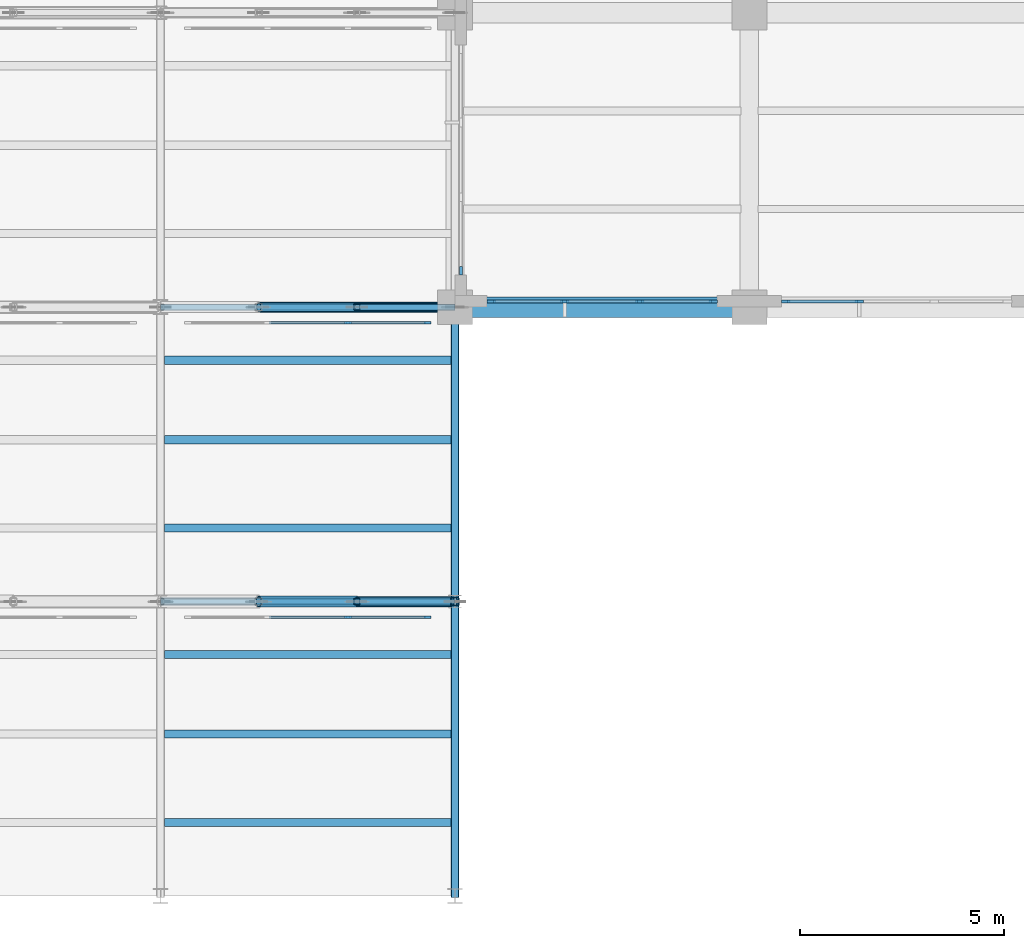
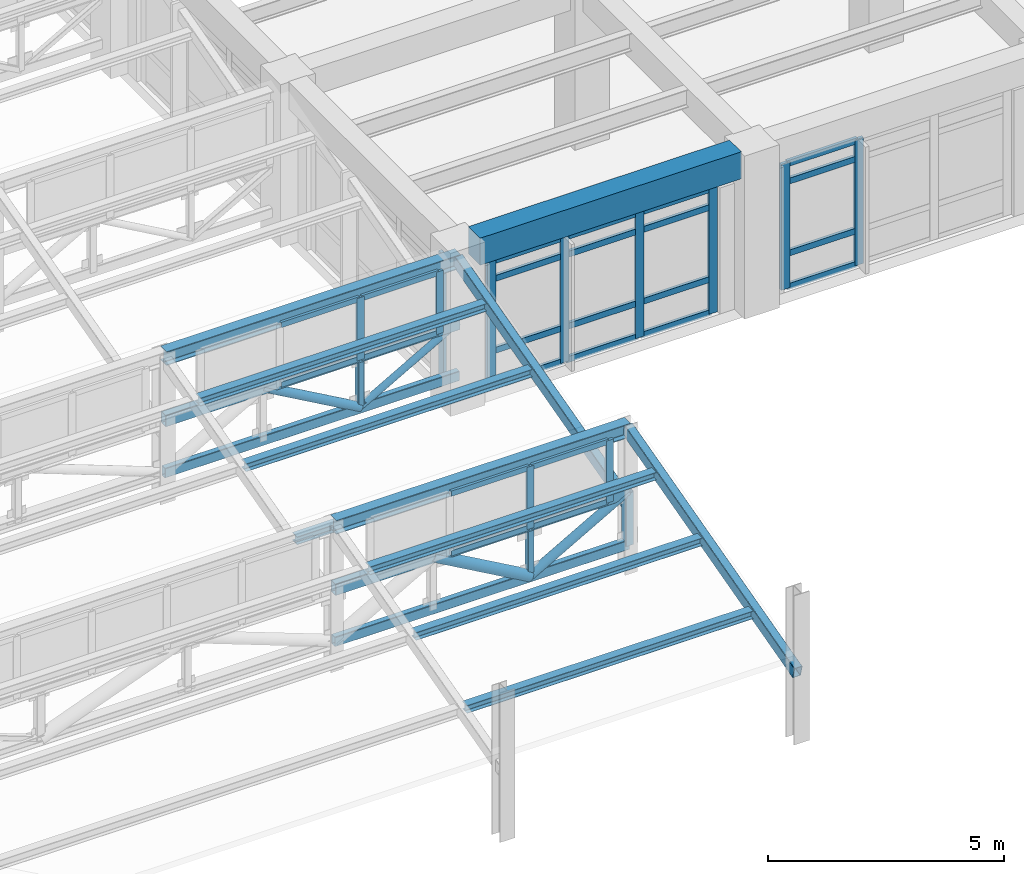
# One storey, part 23 of 98: 46 members, 11 beams, 5 elements without a shape of their own.
"""IFC4 building model written with IfcOpenShell, lengths in metres."""

from ifc_helpers import new_model, si_unit, direction, frame, origin, origin_2d, place, context, subcontext, project, spatial, rectangle, hollow_rectangle, hollow_circle, i_section, extrude, material, layer, layer_set, material_profile, profile_set, type_object, element, aggregate, save


model = new_model("IFC4")

# Units and contexts
model_context = context("Model", 3, precision=1e-05, world=origin(), true_north=direction((0.0, 1.0)))
body_context = subcontext(model_context, "Body", "Model", "MODEL_VIEW")
ifc_project = project(units=[si_unit("LENGTHUNIT", "METRE"), si_unit("AREAUNIT", "SQUARE_METRE"), si_unit("VOLUMEUNIT", "CUBIC_METRE"), si_unit("PLANEANGLEUNIT", "RADIAN"), si_unit("MASSUNIT", "GRAM", prefix="KILO")], contexts=[model_context])

# Site, building, storey
site_placement = place(None, origin())
site = spatial("IfcSite", under=ifc_project, at=site_placement, CompositionType="ELEMENT")
building_placement = place(site_placement, origin())
building = spatial("IfcBuilding", under=site, at=building_placement, Name="Solenvale Faculty of Natural Sciences", CompositionType="ELEMENT")
storey_placement = place(building_placement, frame((0.0, 0.0, 9.0)))
storey = spatial("IfcBuildingStorey", under=building, at=storey_placement, Name="L02", CompositionType="ELEMENT", Elevation=9.0)

# Beams
ifc_material_1 = material(Name="Steel S355", Category="steel")
ifc_material_profile_1 = material_profile(ifc_material_1, i_section(OverallWidth=0.202880859375, OverallDepth=0.202880859375, WebThickness=0.007080078125, FlangeThickness=0.010986328125, FilletRadius=0.010009765625, at=origin_2d()), Name="W200x46")
ifc_profile_set_1 = profile_set([ifc_material_profile_1], Name="Steel S355")
beam_type_1 = type_object("IfcBeamType", Name="BM-PRL-W200x46", PredefinedType="JOIST", material=ifc_profile_set_1)
for number, where, z_axis, x_axis, name in (
    (1, (28.89599609375, 1.800048828125, 2.202392578125), (1.0, 0.0, 0.0), (0.0, 1.0, 0.0), "V1 Sawtooth Purlin 1.2.1"),
    (2, (28.89599609375, 3.9599609375, 2.781494140625), (1.0, 0.0, 0.0), (0.0, 1.0, 0.0), "V1 Sawtooth Purlin 1.2.2"),
    (3, (28.89599609375, 5.904052734375, 3.302490234375), (1.0, 0.0, 0.0), (0.0, 1.0, 0.0), "V1 Sawtooth Purlin 1.2.3"),
    (4, (28.89599609375, 9.0, 2.202392578125), (1.0, 0.0, 0.0), (0.0, 1.0, 0.0), "V1 Sawtooth Purlin 2.2.1"),
    (5, (28.89599609375, 11.159912109375, 2.781494140625), (1.0, 0.0, 0.0), (0.0, 1.0, 0.0), "V1 Sawtooth Purlin 2.2.2"),
    (6, (28.89599609375, 13.10400390625, 3.302490234375), (1.0, 0.0, 0.0), (0.0, 1.0, 0.0), "V1 Sawtooth Purlin 2.2.3"),
):
    element("IfcBeam", number, at=place(storey_placement, frame(where, z_axis=z_axis, x_axis=x_axis)), inside=storey, type_object=beam_type_1, Name=name, PredefinedType="JOIST", context=body_context, shape_type="SweptSolid", body=[
        extrude(i_section(OverallWidth=0.202880859375, OverallDepth=0.202880859375, WebThickness=0.007080078125, FlangeThickness=0.010986328125, FilletRadius=0.010009765625, at=origin_2d()), origin(), (0.0, 0.0, 1.0), 7.10400390625),
    ])
ifc_material_profile_2 = material_profile(ifc_material_1, hollow_rectangle(XDim=0.202880859375, YDim=0.304931640625, WallThickness=0.0126953125, InnerFilletRadius=0.0126953125, OuterFilletRadius=0.025390625, at=origin_2d()), Name="HSS305x203x13")
ifc_profile_set_2 = profile_set([ifc_material_profile_2], Name="Steel S355")
beam_type_2 = type_object("IfcBeamType", Name="BM-RAF-HSS305", PredefinedType="BEAM", material=ifc_profile_set_2)
for number, where, z_axis, x_axis, name in (
    (7, (36.0, 0.0, 1.719970703125), (0.0, 0.965901991803, 0.258907980238), (-1.0, 0.0, 0.0), "V1 Sawtooth End Rafter 1.2.E"),
    (8, (36.0, 7.199951171875, 1.719970703125), (0.0, 0.965901991803, 0.258907980238), (-1.0, 0.0, 0.0), "V1 Sawtooth End Rafter 2.2.E"),
):
    element("IfcBeam", number, at=place(storey_placement, frame(where, z_axis=z_axis, x_axis=x_axis)), inside=storey, type_object=beam_type_2, Name=name, PredefinedType="BEAM", context=body_context, shape_type="SweptSolid", body=[
        extrude(hollow_rectangle(XDim=0.202880859375, YDim=0.304931640625, WallThickness=0.0126953125, InnerFilletRadius=0.0126953125, OuterFilletRadius=0.025390625, at=origin_2d()), origin(), (0.0, 0.0, 1.0), 7.4541015625),
    ])
ifc_material_2 = material(Name="Concrete 40 MPa", Category="concrete")
ifc_material_profile_3 = material_profile(ifc_material_2, rectangle(XDim=0.5, YDim=0.699951171875, at=origin_2d()), Name="RC-BM-500x700")
ifc_profile_set_3 = profile_set([ifc_material_profile_3], Name="Concrete 40 MPa")
beam_type_3 = type_object("IfcBeamType", Name="BM-RC-500x700", PredefinedType="BEAM", material=ifc_profile_set_3)
beam_placement = place(storey_placement, frame((36.405029296875, 14.39990234375, 3.8701171875), z_axis=(1.0, 0.0, 0.0), x_axis=(0.0, 1.0, 0.0)))
element("IfcBeam", 9, at=beam_placement, inside=storey, type_object=beam_type_3, Name="L02 X-Girder Y14.4 (36.0..43.2)", PredefinedType="BEAM", context=body_context, shape_type="SweptSolid", body=[
    extrude(rectangle(XDim=0.5, YDim=0.699951171875, at=origin_2d()), origin(), (0.0, 0.0, 1.0), 6.389892578125),
])
ifc_material_profile_4 = material_profile(ifc_material_1, i_section(OverallWidth=0.2548828125, OverallDepth=0.35693359375, WebThickness=0.010498046875, FlangeThickness=0.018310546875, FilletRadius=0.014892578125, at=origin_2d()), Name="W360x101")
ifc_profile_set_4 = profile_set([ifc_material_profile_4], Name="Steel S355")
beam_type_4 = type_object("IfcBeamType", Name="BM-STL-W360x101", PredefinedType="JOIST", material=ifc_profile_set_4)
for number, where, z_axis, x_axis, name in (
    (10, (28.800048828125, 7.199951171875, 3.68896484375), (1.0, 0.0, 0.0), (0.0, 1.0, 0.0), "V1 Sawtooth Clerestory Ridge Beam 1.2"),
    (11, (28.800048828125, 14.39990234375, 3.68896484375), (1.0, 0.0, 0.0), (0.0, 1.0, 0.0), "V1 Sawtooth Clerestory Ridge Beam 2.2"),
):
    element("IfcBeam", number, at=place(storey_placement, frame(where, z_axis=z_axis, x_axis=x_axis)), inside=storey, type_object=beam_type_4, Name=name, PredefinedType="JOIST", context=body_context, shape_type="SweptSolid", body=[
        extrude(i_section(OverallWidth=0.2548828125, OverallDepth=0.35693359375, WebThickness=0.010498046875, FlangeThickness=0.018310546875, FilletRadius=0.014892578125, at=origin_2d()), origin(), (0.0, 0.0, 1.0), 7.199951171875),
    ])

# Curtain wall, members
ifc_material_3 = material(Name="Anodised bronze aluminium", Category="aluminium")
ifc_layer_1 = layer(ifc_material_3, 0.1650390625)
ifc_layer_set_1 = layer_set([ifc_layer_1], Name="Anodised bronze aluminium")
curtain_wall_type_1 = type_object("IfcCurtainWallType", Name="CW-SAW-CLR", PredefinedType="USERDEFINED", material=ifc_layer_set_1)
curtain_wall_1_placement = place(storey_placement, origin())
curtain_wall_1 = element("IfcCurtainWall", 12, at=curtain_wall_1_placement, inside=storey, type_object=curtain_wall_type_1, Name="L02 Curtain Wall SAW-V1-CW-1-2", ObjectType="NORTH LIGHT CLERESTORY", PredefinedType="USERDEFINED")
ifc_material_profile_5 = material_profile(ifc_material_3, rectangle(XDim=0.06494140625, YDim=0.175048828125, at=origin_2d()), Name="ALU-MUL-65x175")
ifc_profile_set_5 = profile_set([ifc_material_profile_5], Name="Anodised bronze aluminium")
member_type_1 = type_object("IfcMemberType", Name="CWM-ALU-65x175", PredefinedType="MULLION", material=ifc_profile_set_5)
member_1_placement = place(storey_placement, frame((35.327392578125, 6.820068359375, 2.22998046875), z_axis=(0.0, 0.0, 1.0), x_axis=(0.0, -1.0, 0.0)))
member_1 = element("IfcMember", 13, at=member_1_placement, type_object=member_type_1, Name="CW-05 mullion 1", PredefinedType="MULLION", context=body_context, shape_type="SweptSolid", body=[
    extrude(rectangle(XDim=0.06494140625, YDim=0.175048828125, at=origin_2d()), origin(), (0.0, 0.0, 1.0), 1.610107421875),
])
member_2_placement = place(storey_placement, frame((33.38671875, 6.820068359375, 2.22998046875), z_axis=(0.0, 0.0, 1.0), x_axis=(0.0, -1.0, 0.0)))
member_2 = element("IfcMember", 14, at=member_2_placement, type_object=member_type_1, Name="CW-05 mullion 2", PredefinedType="MULLION", context=body_context, shape_type="SweptSolid", body=[
    extrude(rectangle(XDim=0.06494140625, YDim=0.175048828125, at=origin_2d()), origin(), (0.0, 0.0, 1.0), 1.610107421875),
])

curtain_wall_2_placement = place(storey_placement, origin())
curtain_wall_2 = element("IfcCurtainWall", 15, at=curtain_wall_2_placement, inside=storey, type_object=curtain_wall_type_1, Name="L02 Curtain Wall SAW-V1-CW-2-2", ObjectType="NORTH LIGHT CLERESTORY", PredefinedType="USERDEFINED")
member_3_placement = place(storey_placement, frame((35.327392578125, 14.02001953125, 2.22998046875), z_axis=(0.0, 0.0, 1.0), x_axis=(0.0, -1.0, 0.0)))
member_3 = element("IfcMember", 16, at=member_3_placement, type_object=member_type_1, Name="CW-05 mullion 1", PredefinedType="MULLION", context=body_context, shape_type="SweptSolid", body=[
    extrude(rectangle(XDim=0.06494140625, YDim=0.175048828125, at=origin_2d()), origin(), (0.0, 0.0, 1.0), 1.610107421875),
])
member_4_placement = place(storey_placement, frame((33.38671875, 14.02001953125, 2.22998046875), z_axis=(0.0, 0.0, 1.0), x_axis=(0.0, -1.0, 0.0)))
member_4 = element("IfcMember", 17, at=member_4_placement, type_object=member_type_1, Name="CW-05 mullion 2", PredefinedType="MULLION", context=body_context, shape_type="SweptSolid", body=[
    extrude(rectangle(XDim=0.06494140625, YDim=0.175048828125, at=origin_2d()), origin(), (0.0, 0.0, 1.0), 1.610107421875),
])

# Curtain wall, member
ifc_layer_2 = layer(ifc_material_3, 0.215087890625)
ifc_layer_set_2 = layer_set([ifc_layer_2], Name="Anodised bronze aluminium")
curtain_wall_type_2 = type_object("IfcCurtainWallType", Name="CW-ATR-UNIT", PredefinedType="USERDEFINED", material=ifc_layer_set_2)
curtain_wall_3_placement = place(storey_placement, origin())
curtain_wall_3 = element("IfcCurtainWall", 18, at=curtain_wall_3_placement, inside=storey, type_object=curtain_wall_type_2, Name="L02 Curtain Wall CW-L02-P1-E9-B11", ObjectType="UNITISED CURTAIN WALL", PredefinedType="USERDEFINED")
ifc_material_profile_6 = material_profile(ifc_material_3, rectangle(XDim=0.074951171875, YDim=0.2099609375, at=origin_2d()), Name="ALU-MUL-75x210")
ifc_profile_set_6 = profile_set([ifc_material_profile_6], Name="Anodised bronze aluminium")
member_type_2 = type_object("IfcMemberType", Name="CWM-ALU-75x210", PredefinedType="MULLION", material=ifc_profile_set_6)
member_5_placement = place(storey_placement, frame((36.142578125, 15.28759765625, 0.0), z_axis=(0.0, 0.0, 1.0), x_axis=(1.0, 0.0, 0.0)))
member_5 = element("IfcMember", 19, at=member_5_placement, type_object=member_type_2, Name="CW-01 mullion 4", PredefinedType="MULLION", context=body_context, shape_type="SweptSolid", body=[
    extrude(rectangle(XDim=0.074951171875, YDim=0.2099609375, at=origin_2d()), origin(), (0.0, 0.0, 1.0), 3.260009765625),
])
aggregate(curtain_wall_3, [member_5])

# Curtain wall, members
curtain_wall_4_placement = place(storey_placement, origin())
curtain_wall_4 = element("IfcCurtainWall", 20, at=curtain_wall_4_placement, inside=storey, type_object=curtain_wall_type_2, Name="L02 Curtain Wall CW-L02-P1-E10-B1", ObjectType="UNITISED CURTAIN WALL", PredefinedType="USERDEFINED")
member_6_placement = place(storey_placement, frame((36.887451171875, 14.54248046875, 0.0), z_axis=(0.0, 0.0, 1.0), x_axis=(0.0, 1.0, 0.0)))
member_6 = element("IfcMember", 21, at=member_6_placement, type_object=member_type_2, Name="CW-01 mullion 1", PredefinedType="MULLION", context=body_context, shape_type="SweptSolid", body=[
    extrude(rectangle(XDim=0.074951171875, YDim=0.2099609375, at=origin_2d()), origin(), (0.0, 0.0, 1.0), 3.260009765625),
])
member_7_placement = place(storey_placement, frame((38.683349609375, 14.54248046875, 0.0), z_axis=(0.0, 0.0, 1.0), x_axis=(0.0, 1.0, 0.0)))
member_7 = element("IfcMember", 22, at=member_7_placement, type_object=member_type_2, Name="CW-01 mullion 2", PredefinedType="MULLION", context=body_context, shape_type="SweptSolid", body=[
    extrude(rectangle(XDim=0.074951171875, YDim=0.2099609375, at=origin_2d()), origin(), (0.0, 0.0, 1.0), 3.260009765625),
])
member_8_placement = place(storey_placement, frame((40.5166015625, 14.54248046875, 0.0), z_axis=(0.0, 0.0, 1.0), x_axis=(0.0, 1.0, 0.0)))
member_8 = element("IfcMember", 23, at=member_8_placement, type_object=member_type_2, Name="CW-01 mullion 3", PredefinedType="MULLION", context=body_context, shape_type="SweptSolid", body=[
    extrude(rectangle(XDim=0.074951171875, YDim=0.2099609375, at=origin_2d()), origin(), (0.0, 0.0, 1.0), 3.260009765625),
])
member_9_placement = place(storey_placement, frame((42.3125, 14.54248046875, 0.0), z_axis=(0.0, 0.0, 1.0), x_axis=(0.0, 1.0, 0.0)))
member_9 = element("IfcMember", 24, at=member_9_placement, type_object=member_type_2, Name="CW-01 mullion 4", PredefinedType="MULLION", context=body_context, shape_type="SweptSolid", body=[
    extrude(rectangle(XDim=0.074951171875, YDim=0.2099609375, at=origin_2d()), origin(), (0.0, 0.0, 1.0), 3.260009765625),
])

curtain_wall_5_placement = place(storey_placement, origin())
curtain_wall_5 = element("IfcCurtainWall", 25, at=curtain_wall_5_placement, inside=storey, type_object=curtain_wall_type_2, Name="L02 Curtain Wall CW-L02-P1-E10-B2", ObjectType="UNITISED CURTAIN WALL", PredefinedType="USERDEFINED")
member_10_placement = place(storey_placement, frame((44.08740234375, 14.54248046875, 0.0), z_axis=(0.0, 0.0, 1.0), x_axis=(0.0, 1.0, 0.0)))
member_10 = element("IfcMember", 26, at=member_10_placement, type_object=member_type_2, Name="CW-01 mullion 1", PredefinedType="MULLION", context=body_context, shape_type="SweptSolid", body=[
    extrude(rectangle(XDim=0.074951171875, YDim=0.2099609375, at=origin_2d()), origin(), (0.0, 0.0, 1.0), 3.260009765625),
])
member_11_placement = place(storey_placement, frame((45.88330078125, 14.54248046875, 0.0), z_axis=(0.0, 0.0, 1.0), x_axis=(0.0, 1.0, 0.0)))
member_11 = element("IfcMember", 27, at=member_11_placement, type_object=member_type_2, Name="CW-01 mullion 2", PredefinedType="MULLION", context=body_context, shape_type="SweptSolid", body=[
    extrude(rectangle(XDim=0.074951171875, YDim=0.2099609375, at=origin_2d()), origin(), (0.0, 0.0, 1.0), 3.260009765625),
])

# Member
ifc_material_profile_7 = material_profile(ifc_material_3, rectangle(XDim=0.06494140625, YDim=0.135009765625, at=origin_2d()), Name="ALU-TRN-65x135")
ifc_profile_set_7 = profile_set([ifc_material_profile_7], Name="Anodised bronze aluminium")
member_type_3 = type_object("IfcMemberType", Name="CWT-ALU-65x135", PredefinedType="USERDEFINED", material=ifc_profile_set_7)
member_12_placement = place(storey_placement, frame((35.294921875, 6.820068359375, 2.262451171875), z_axis=(-1.0, 0.0, 0.0), x_axis=(0.0, -1.0, 0.0)))
member_12 = element("IfcMember", 28, at=member_12_placement, type_object=member_type_3, Name="CW-05 transom 1.1", ObjectType="TRANSOM", PredefinedType="USERDEFINED", context=body_context, shape_type="SweptSolid", body=[
    extrude(rectangle(XDim=0.06494140625, YDim=0.135009765625, at=origin_2d()), origin(), (0.0, 0.0, 1.0), 1.875732421875),
])

member_13_placement = place(storey_placement, frame((35.294921875, 6.820068359375, 3.8076171875), z_axis=(-1.0, 0.0, 0.0), x_axis=(0.0, -1.0, 0.0)))
member_13 = element("IfcMember", 29, at=member_13_placement, type_object=member_type_3, Name="CW-05 transom 1.2", ObjectType="TRANSOM", PredefinedType="USERDEFINED", context=body_context, shape_type="SweptSolid", body=[
    extrude(rectangle(XDim=0.06494140625, YDim=0.135009765625, at=origin_2d()), origin(), (0.0, 0.0, 1.0), 1.875732421875),
])

member_14_placement = place(storey_placement, frame((33.354248046875, 6.820068359375, 2.262451171875), z_axis=(-1.0, 0.0, 0.0), x_axis=(0.0, -1.0, 0.0)))
member_14 = element("IfcMember", 30, at=member_14_placement, type_object=member_type_3, Name="CW-05 transom 2.1", ObjectType="TRANSOM", PredefinedType="USERDEFINED", context=body_context, shape_type="SweptSolid", body=[
    extrude(rectangle(XDim=0.06494140625, YDim=0.135009765625, at=origin_2d()), origin(), (0.0, 0.0, 1.0), 1.908447265625),
])

member_15_placement = place(storey_placement, frame((33.354248046875, 6.820068359375, 3.8076171875), z_axis=(-1.0, 0.0, 0.0), x_axis=(0.0, -1.0, 0.0)))
member_15 = element("IfcMember", 31, at=member_15_placement, type_object=member_type_3, Name="CW-05 transom 2.2", ObjectType="TRANSOM", PredefinedType="USERDEFINED", context=body_context, shape_type="SweptSolid", body=[
    extrude(rectangle(XDim=0.06494140625, YDim=0.135009765625, at=origin_2d()), origin(), (0.0, 0.0, 1.0), 1.908447265625),
])

aggregate(curtain_wall_1, [member_1, member_2, member_12, member_13, member_14, member_15])

member_16_placement = place(storey_placement, frame((35.294921875, 14.02001953125, 2.262451171875), z_axis=(-1.0, 0.0, 0.0), x_axis=(0.0, -1.0, 0.0)))
member_16 = element("IfcMember", 32, at=member_16_placement, type_object=member_type_3, Name="CW-05 transom 1.1", ObjectType="TRANSOM", PredefinedType="USERDEFINED", context=body_context, shape_type="SweptSolid", body=[
    extrude(rectangle(XDim=0.06494140625, YDim=0.135009765625, at=origin_2d()), origin(), (0.0, 0.0, 1.0), 1.875732421875),
])

member_17_placement = place(storey_placement, frame((35.294921875, 14.02001953125, 3.8076171875), z_axis=(-1.0, 0.0, 0.0), x_axis=(0.0, -1.0, 0.0)))
member_17 = element("IfcMember", 33, at=member_17_placement, type_object=member_type_3, Name="CW-05 transom 1.2", ObjectType="TRANSOM", PredefinedType="USERDEFINED", context=body_context, shape_type="SweptSolid", body=[
    extrude(rectangle(XDim=0.06494140625, YDim=0.135009765625, at=origin_2d()), origin(), (0.0, 0.0, 1.0), 1.875732421875),
])

member_18_placement = place(storey_placement, frame((33.354248046875, 14.02001953125, 2.262451171875), z_axis=(-1.0, 0.0, 0.0), x_axis=(0.0, -1.0, 0.0)))
member_18 = element("IfcMember", 34, at=member_18_placement, type_object=member_type_3, Name="CW-05 transom 2.1", ObjectType="TRANSOM", PredefinedType="USERDEFINED", context=body_context, shape_type="SweptSolid", body=[
    extrude(rectangle(XDim=0.06494140625, YDim=0.135009765625, at=origin_2d()), origin(), (0.0, 0.0, 1.0), 1.908447265625),
])

member_19_placement = place(storey_placement, frame((33.354248046875, 14.02001953125, 3.8076171875), z_axis=(-1.0, 0.0, 0.0), x_axis=(0.0, -1.0, 0.0)))
member_19 = element("IfcMember", 35, at=member_19_placement, type_object=member_type_3, Name="CW-05 transom 2.2", ObjectType="TRANSOM", PredefinedType="USERDEFINED", context=body_context, shape_type="SweptSolid", body=[
    extrude(rectangle(XDim=0.06494140625, YDim=0.135009765625, at=origin_2d()), origin(), (0.0, 0.0, 1.0), 1.908447265625),
])

aggregate(curtain_wall_2, [member_3, member_4, member_16, member_17, member_18, member_19])

ifc_material_profile_8 = material_profile(ifc_material_3, rectangle(XDim=0.074951171875, YDim=0.155029296875, at=origin_2d()), Name="ALU-TRN-75x155")
ifc_profile_set_8 = profile_set([ifc_material_profile_8], Name="Anodised bronze aluminium")
member_type_4 = type_object("IfcMemberType", Name="CWT-ALU-75x155", PredefinedType="USERDEFINED", material=ifc_profile_set_8)
member_20_placement = place(storey_placement, frame((36.925048828125, 14.54248046875, 0.03759765625), z_axis=(1.0, 0.0, 0.0), x_axis=(0.0, 1.0, 0.0)))
member_20 = element("IfcMember", 36, at=member_20_placement, type_object=member_type_4, Name="CW-01 transom 1.1", ObjectType="TRANSOM", PredefinedType="USERDEFINED", context=body_context, shape_type="SweptSolid", body=[
    extrude(rectangle(XDim=0.074951171875, YDim=0.155029296875, at=origin_2d()), origin(), (0.0, 0.0, 1.0), 1.720703125),
])

member_21_placement = place(storey_placement, frame((36.925048828125, 14.54248046875, 0.89990234375), z_axis=(1.0, 0.0, 0.0), x_axis=(0.0, 1.0, 0.0)))
member_21 = element("IfcMember", 37, at=member_21_placement, type_object=member_type_4, Name="CW-01 transom 1.2", ObjectType="TRANSOM", PredefinedType="USERDEFINED", context=body_context, shape_type="SweptSolid", body=[
    extrude(rectangle(XDim=0.074951171875, YDim=0.155029296875, at=origin_2d()), origin(), (0.0, 0.0, 1.0), 1.720703125),
])

member_22_placement = place(storey_placement, frame((36.925048828125, 14.54248046875, 2.760009765625), z_axis=(1.0, 0.0, 0.0), x_axis=(0.0, 1.0, 0.0)))
member_22 = element("IfcMember", 38, at=member_22_placement, type_object=member_type_4, Name="CW-01 transom 1.3", ObjectType="TRANSOM", PredefinedType="USERDEFINED", context=body_context, shape_type="SweptSolid", body=[
    extrude(rectangle(XDim=0.074951171875, YDim=0.155029296875, at=origin_2d()), origin(), (0.0, 0.0, 1.0), 1.720703125),
])

member_23_placement = place(storey_placement, frame((36.925048828125, 14.54248046875, 3.222412109375), z_axis=(1.0, 0.0, 0.0), x_axis=(0.0, 1.0, 0.0)))
member_23 = element("IfcMember", 39, at=member_23_placement, type_object=member_type_4, Name="CW-01 transom 1.4", ObjectType="TRANSOM", PredefinedType="USERDEFINED", context=body_context, shape_type="SweptSolid", body=[
    extrude(rectangle(XDim=0.074951171875, YDim=0.155029296875, at=origin_2d()), origin(), (0.0, 0.0, 1.0), 1.720703125),
])

member_24_placement = place(storey_placement, frame((38.720947265625, 14.54248046875, 0.03759765625), z_axis=(1.0, 0.0, 0.0), x_axis=(0.0, 1.0, 0.0)))
member_24 = element("IfcMember", 40, at=member_24_placement, type_object=member_type_4, Name="CW-01 transom 2.1", ObjectType="TRANSOM", PredefinedType="USERDEFINED", context=body_context, shape_type="SweptSolid", body=[
    extrude(rectangle(XDim=0.074951171875, YDim=0.155029296875, at=origin_2d()), origin(), (0.0, 0.0, 1.0), 1.75830078125),
])

member_25_placement = place(storey_placement, frame((38.720947265625, 14.54248046875, 0.89990234375), z_axis=(1.0, 0.0, 0.0), x_axis=(0.0, 1.0, 0.0)))
member_25 = element("IfcMember", 41, at=member_25_placement, type_object=member_type_4, Name="CW-01 transom 2.2", ObjectType="TRANSOM", PredefinedType="USERDEFINED", context=body_context, shape_type="SweptSolid", body=[
    extrude(rectangle(XDim=0.074951171875, YDim=0.155029296875, at=origin_2d()), origin(), (0.0, 0.0, 1.0), 1.75830078125),
])

member_26_placement = place(storey_placement, frame((38.720947265625, 14.54248046875, 2.760009765625), z_axis=(1.0, 0.0, 0.0), x_axis=(0.0, 1.0, 0.0)))
member_26 = element("IfcMember", 42, at=member_26_placement, type_object=member_type_4, Name="CW-01 transom 2.3", ObjectType="TRANSOM", PredefinedType="USERDEFINED", context=body_context, shape_type="SweptSolid", body=[
    extrude(rectangle(XDim=0.074951171875, YDim=0.155029296875, at=origin_2d()), origin(), (0.0, 0.0, 1.0), 1.75830078125),
])

member_27_placement = place(storey_placement, frame((38.720947265625, 14.54248046875, 3.222412109375), z_axis=(1.0, 0.0, 0.0), x_axis=(0.0, 1.0, 0.0)))
member_27 = element("IfcMember", 43, at=member_27_placement, type_object=member_type_4, Name="CW-01 transom 2.4", ObjectType="TRANSOM", PredefinedType="USERDEFINED", context=body_context, shape_type="SweptSolid", body=[
    extrude(rectangle(XDim=0.074951171875, YDim=0.155029296875, at=origin_2d()), origin(), (0.0, 0.0, 1.0), 1.75830078125),
])

member_28_placement = place(storey_placement, frame((40.55419921875, 14.54248046875, 0.03759765625), z_axis=(1.0, 0.0, 0.0), x_axis=(0.0, 1.0, 0.0)))
member_28 = element("IfcMember", 44, at=member_28_placement, type_object=member_type_4, Name="CW-01 transom 3.1", ObjectType="TRANSOM", PredefinedType="USERDEFINED", context=body_context, shape_type="SweptSolid", body=[
    extrude(rectangle(XDim=0.074951171875, YDim=0.155029296875, at=origin_2d()), origin(), (0.0, 0.0, 1.0), 1.720703125),
])

member_29_placement = place(storey_placement, frame((40.55419921875, 14.54248046875, 0.89990234375), z_axis=(1.0, 0.0, 0.0), x_axis=(0.0, 1.0, 0.0)))
member_29 = element("IfcMember", 45, at=member_29_placement, type_object=member_type_4, Name="CW-01 transom 3.2", ObjectType="TRANSOM", PredefinedType="USERDEFINED", context=body_context, shape_type="SweptSolid", body=[
    extrude(rectangle(XDim=0.074951171875, YDim=0.155029296875, at=origin_2d()), origin(), (0.0, 0.0, 1.0), 1.720703125),
])

member_30_placement = place(storey_placement, frame((40.55419921875, 14.54248046875, 2.760009765625), z_axis=(1.0, 0.0, 0.0), x_axis=(0.0, 1.0, 0.0)))
member_30 = element("IfcMember", 46, at=member_30_placement, type_object=member_type_4, Name="CW-01 transom 3.3", ObjectType="TRANSOM", PredefinedType="USERDEFINED", context=body_context, shape_type="SweptSolid", body=[
    extrude(rectangle(XDim=0.074951171875, YDim=0.155029296875, at=origin_2d()), origin(), (0.0, 0.0, 1.0), 1.720703125),
])

member_31_placement = place(storey_placement, frame((40.55419921875, 14.54248046875, 3.222412109375), z_axis=(1.0, 0.0, 0.0), x_axis=(0.0, 1.0, 0.0)))
member_31 = element("IfcMember", 47, at=member_31_placement, type_object=member_type_4, Name="CW-01 transom 3.4", ObjectType="TRANSOM", PredefinedType="USERDEFINED", context=body_context, shape_type="SweptSolid", body=[
    extrude(rectangle(XDim=0.074951171875, YDim=0.155029296875, at=origin_2d()), origin(), (0.0, 0.0, 1.0), 1.720703125),
])

aggregate(curtain_wall_4, [member_6, member_7, member_8, member_9, member_20, member_21, member_22, member_23, member_24, member_25, member_26, member_27, member_28, member_29, member_30, member_31])

member_32_placement = place(storey_placement, frame((44.125, 14.54248046875, 0.03759765625), z_axis=(1.0, 0.0, 0.0), x_axis=(0.0, 1.0, 0.0)))
member_32 = element("IfcMember", 48, at=member_32_placement, type_object=member_type_4, Name="CW-01 transom 1.1", ObjectType="TRANSOM", PredefinedType="USERDEFINED", context=body_context, shape_type="SweptSolid", body=[
    extrude(rectangle(XDim=0.074951171875, YDim=0.155029296875, at=origin_2d()), origin(), (0.0, 0.0, 1.0), 1.720947265625),
])

member_33_placement = place(storey_placement, frame((44.125, 14.54248046875, 0.89990234375), z_axis=(1.0, 0.0, 0.0), x_axis=(0.0, 1.0, 0.0)))
member_33 = element("IfcMember", 49, at=member_33_placement, type_object=member_type_4, Name="CW-01 transom 1.2", ObjectType="TRANSOM", PredefinedType="USERDEFINED", context=body_context, shape_type="SweptSolid", body=[
    extrude(rectangle(XDim=0.074951171875, YDim=0.155029296875, at=origin_2d()), origin(), (0.0, 0.0, 1.0), 1.720947265625),
])

member_34_placement = place(storey_placement, frame((44.125, 14.54248046875, 2.760009765625), z_axis=(1.0, 0.0, 0.0), x_axis=(0.0, 1.0, 0.0)))
member_34 = element("IfcMember", 50, at=member_34_placement, type_object=member_type_4, Name="CW-01 transom 1.3", ObjectType="TRANSOM", PredefinedType="USERDEFINED", context=body_context, shape_type="SweptSolid", body=[
    extrude(rectangle(XDim=0.074951171875, YDim=0.155029296875, at=origin_2d()), origin(), (0.0, 0.0, 1.0), 1.720947265625),
])

member_35_placement = place(storey_placement, frame((44.125, 14.54248046875, 3.222412109375), z_axis=(1.0, 0.0, 0.0), x_axis=(0.0, 1.0, 0.0)))
member_35 = element("IfcMember", 51, at=member_35_placement, type_object=member_type_4, Name="CW-01 transom 1.4", ObjectType="TRANSOM", PredefinedType="USERDEFINED", context=body_context, shape_type="SweptSolid", body=[
    extrude(rectangle(XDim=0.074951171875, YDim=0.155029296875, at=origin_2d()), origin(), (0.0, 0.0, 1.0), 1.720947265625),
])

aggregate(curtain_wall_5, [member_10, member_11, member_32, member_33, member_34, member_35])

# Members
ifc_material_profile_9 = material_profile(ifc_material_1, hollow_circle(Radius=0.084228515625, WallThickness=0.008056640625, at=origin_2d()), Name="HSS168x8.0")
ifc_profile_set_9 = profile_set([ifc_material_profile_9], Name="Steel S355")
member_type_5 = type_object("IfcMemberType", Name="MB-BRC-CHS168", PredefinedType="BRACE", material=ifc_profile_set_9)
member_36_placement = place(storey_placement, frame((33.60009765625, 14.39990234375, 0.68994140625), z_axis=(0.869996876503, 0.0, 0.493057232859), x_axis=(0.0, 1.0, 0.0)))
element("IfcMember", 52, at=member_36_placement, inside=storey, type_object=member_type_5, Name="V1 Truss 2.2 Diagonal 3", PredefinedType="BRACE", context=body_context, shape_type="SweptSolid", body=[
    extrude(hollow_circle(Radius=0.084228515625, WallThickness=0.008056640625, at=origin_2d()), origin(), (0.0, 0.0, 1.0), 2.758544921875),
])
ifc_material_profile_10 = material_profile(ifc_material_1, hollow_circle(Radius=0.109619140625, WallThickness=0.009521484375, at=origin_2d()), Name="HSS219x9.5")
ifc_profile_set_10 = profile_set([ifc_material_profile_10], Name="Steel S355")
member_type_6 = type_object("IfcMemberType", Name="MB-BRC-CHS219", PredefinedType="BRACE", material=ifc_profile_set_10)
member_37_placement = place(storey_placement, frame((33.60009765625, 7.199951171875, 0.68994140625), z_axis=(0.869996876503, 0.0, 0.493057232859), x_axis=(0.0, 1.0, 0.0)))
element("IfcMember", 53, at=member_37_placement, inside=storey, type_object=member_type_6, Name="V1 Truss 1.2 Diagonal 3", PredefinedType="BRACE", context=body_context, shape_type="SweptSolid", body=[
    extrude(hollow_circle(Radius=0.109619140625, WallThickness=0.009521484375, at=origin_2d()), origin(), (0.0, 0.0, 1.0), 2.758544921875),
])
member_38_placement = place(storey_placement, frame((31.199951171875, 14.39990234375, 2.050048828125), z_axis=(0.870018389885, 0.0, -0.49301927068), x_axis=(0.0, 1.0, 0.0)))
element("IfcMember", 54, at=member_38_placement, inside=storey, type_object=member_type_6, Name="V1 Truss 2.2 Diagonal 2", PredefinedType="BRACE", context=body_context, shape_type="SweptSolid", body=[
    extrude(hollow_circle(Radius=0.109619140625, WallThickness=0.009521484375, at=origin_2d()), origin(), (0.0, 0.0, 1.0), 2.7587890625),
])
ifc_material_profile_11 = material_profile(ifc_material_1, hollow_circle(Radius=0.136474609375, WallThickness=0.010986328125, at=origin_2d()), Name="HSS273x11")
ifc_profile_set_11 = profile_set([ifc_material_profile_11], Name="Steel S355")
member_type_7 = type_object("IfcMemberType", Name="MB-BRC-CHS273", PredefinedType="BRACE", material=ifc_profile_set_11)
member_39_placement = place(storey_placement, frame((31.199951171875, 7.199951171875, 2.050048828125), z_axis=(0.870018389885, 0.0, -0.49301927068), x_axis=(0.0, 1.0, 0.0)))
element("IfcMember", 55, at=member_39_placement, inside=storey, type_object=member_type_7, Name="V1 Truss 1.2 Diagonal 2", PredefinedType="BRACE", context=body_context, shape_type="SweptSolid", body=[
    extrude(hollow_circle(Radius=0.136474609375, WallThickness=0.010986328125, at=origin_2d()), origin(), (0.0, 0.0, 1.0), 2.7587890625),
])
ifc_material_profile_12 = material_profile(ifc_material_1, hollow_rectangle(XDim=0.152099609375, YDim=0.25390625, WallThickness=0.010986328125, InnerFilletRadius=0.010986328125, OuterFilletRadius=0.022216796875, at=origin_2d()), Name="HSS254x152x11")
ifc_profile_set_12 = profile_set([ifc_material_profile_12], Name="Steel S355")
member_type_8 = type_object("IfcMemberType", Name="MB-CHD-HSS254", PredefinedType="CHORD", material=ifc_profile_set_12)
for number, where, z_axis, x_axis, name in (
    (56, (28.800048828125, 7.199951171875, 0.68994140625), (1.0, 0.0, 0.0), (0.0, 1.0, 0.0), "V1 Truss 1.2 Bottom Chord"),
    (57, (28.800048828125, 14.39990234375, 0.68994140625), (1.0, 0.0, 0.0), (0.0, 1.0, 0.0), "V1 Truss 2.2 Bottom Chord"),
):
    element("IfcMember", number, at=place(storey_placement, frame(where, z_axis=z_axis, x_axis=x_axis)), inside=storey, type_object=member_type_8, Name=name, PredefinedType="CHORD", context=body_context, shape_type="SweptSolid", body=[
        extrude(hollow_rectangle(XDim=0.152099609375, YDim=0.25390625, WallThickness=0.010986328125, InnerFilletRadius=0.010986328125, OuterFilletRadius=0.022216796875, at=origin_2d()), origin(), (0.0, 0.0, 1.0), 7.199951171875),
    ])
ifc_material_profile_13 = material_profile(ifc_material_1, hollow_rectangle(XDim=0.202880859375, YDim=0.304931640625, WallThickness=0.0126953125, InnerFilletRadius=0.0126953125, OuterFilletRadius=0.025390625, at=origin_2d()), Name="HSS305x203x13")
ifc_profile_set_13 = profile_set([ifc_material_profile_13], Name="Steel S355")
member_type_9 = type_object("IfcMemberType", Name="MB-CHD-HSS305", PredefinedType="CHORD", material=ifc_profile_set_13)
for number, where, z_axis, x_axis, name in (
    (58, (28.800048828125, 7.199951171875, 2.050048828125), (1.0, 0.0, 0.0), (0.0, 1.0, 0.0), "V1 Truss 1.2 Top Chord"),
    (59, (28.800048828125, 14.39990234375, 2.050048828125), (1.0, 0.0, 0.0), (0.0, 1.0, 0.0), "V1 Truss 2.2 Top Chord"),
):
    element("IfcMember", number, at=place(storey_placement, frame(where, z_axis=z_axis, x_axis=x_axis)), inside=storey, type_object=member_type_9, Name=name, PredefinedType="CHORD", context=body_context, shape_type="SweptSolid", body=[
        extrude(hollow_rectangle(XDim=0.202880859375, YDim=0.304931640625, WallThickness=0.0126953125, InnerFilletRadius=0.0126953125, OuterFilletRadius=0.025390625, at=origin_2d()), origin(), (0.0, 0.0, 1.0), 7.199951171875),
    ])
ifc_material_profile_14 = material_profile(ifc_material_1, hollow_rectangle(XDim=0.152099609375, YDim=0.152099609375, WallThickness=0.009521484375, InnerFilletRadius=0.009521484375, OuterFilletRadius=0.01904296875, at=origin_2d()), Name="HSS152x152x9.5")
ifc_profile_set_14 = profile_set([ifc_material_profile_14], Name="Steel S355")
member_type_10 = type_object("IfcMemberType", Name="MB-STR-HSS152", PredefinedType="STRUT", material=ifc_profile_set_14)
for number, where, z_axis, x_axis, name in (
    (60, (33.60009765625, 7.199951171875, 0.68994140625), (0.0, 0.0, 1.0), (1.0, 0.0, 0.0), "V1 Truss 1.2 Strut 2"),
    (61, (33.60009765625, 14.39990234375, 0.68994140625), (0.0, 0.0, 1.0), (1.0, 0.0, 0.0), "V1 Truss 2.2 Strut 2"),
):
    element("IfcMember", number, at=place(storey_placement, frame(where, z_axis=z_axis, x_axis=x_axis)), inside=storey, type_object=member_type_10, Name=name, PredefinedType="STRUT", context=body_context, shape_type="SweptSolid", body=[
        extrude(hollow_rectangle(XDim=0.152099609375, YDim=0.152099609375, WallThickness=0.009521484375, InnerFilletRadius=0.009521484375, OuterFilletRadius=0.01904296875, at=origin_2d()), origin(), (0.0, 0.0, 1.0), 1.360107421875),
    ])
ifc_material_profile_15 = material_profile(ifc_material_1, hollow_rectangle(XDim=0.202880859375, YDim=0.202880859375, WallThickness=0.0126953125, InnerFilletRadius=0.0126953125, OuterFilletRadius=0.025390625, at=origin_2d()), Name="HSS203x203x13")
ifc_profile_set_15 = profile_set([ifc_material_profile_15], Name="Steel S355")
member_type_11 = type_object("IfcMemberType", Name="MB-STR-HSS203", PredefinedType="STRUT", material=ifc_profile_set_15)
member_40_placement = place(storey_placement, frame((36.0, 7.199951171875, 0.68994140625), z_axis=(0.0, 0.0, 1.0), x_axis=(1.0, 0.0, 0.0)))
element("IfcMember", 62, at=member_40_placement, inside=storey, type_object=member_type_11, Name="V1 Truss 1.2 Strut 3", PredefinedType="STRUT", context=body_context, shape_type="SweptSolid", body=[
    extrude(hollow_rectangle(XDim=0.202880859375, YDim=0.202880859375, WallThickness=0.0126953125, InnerFilletRadius=0.0126953125, OuterFilletRadius=0.025390625, at=origin_2d()), origin(), (0.0, 0.0, 1.0), 1.360107421875),
])

save(model, "model.ifc")
